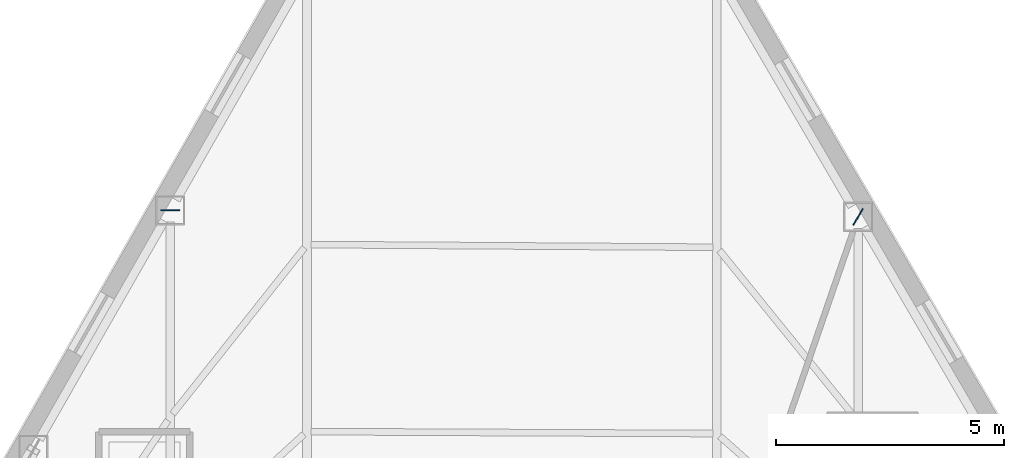
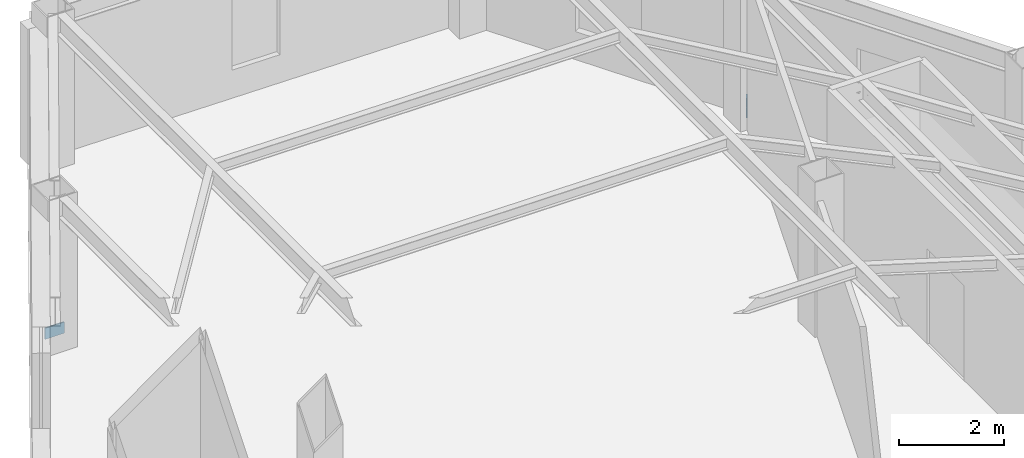
# One storey, part 6 of 11: 2 plates.
"""IFC4 building model written with IfcOpenShell, lengths in metres."""

from ifc_helpers import new_model, si_unit, direction, frame, origin, origin_2d, place, context, subcontext, project, spatial, rectangle, extrude, material, layer, layer_set, type_object, element, save


model = new_model("IFC4")

# Units and contexts
model_context = context("Model", 3, precision=1e-05, world=origin(), true_north=direction((0.0, 1.0)))
body_context = subcontext(model_context, "Body", "Model", "MODEL_VIEW")
ifc_project = project(units=[si_unit("LENGTHUNIT", "METRE"), si_unit("AREAUNIT", "SQUARE_METRE"), si_unit("VOLUMEUNIT", "CUBIC_METRE"), si_unit("PLANEANGLEUNIT", "RADIAN"), si_unit("MASSUNIT", "GRAM", prefix="KILO")], contexts=[model_context])

# Site, building, storey
site_placement = place(None, origin())
site = spatial("IfcSite", under=ifc_project, at=site_placement, CompositionType="ELEMENT")
building_placement = place(site_placement, origin())
building = spatial("IfcBuilding", under=site, at=building_placement, Name="Kavelnor Concourse Tower", CompositionType="ELEMENT")
storey_placement = place(building_placement, frame((0.0, 0.0, 184.25)))
storey = spatial("IfcBuildingStorey", under=building, at=storey_placement, Name="L46", CompositionType="ELEMENT", Elevation=184.25)

# Plates
ifc_material = material(Name="Steel Grade 350", Category="steel")
ifc_layer = layer(ifc_material, 0.02490234375, Name="Steel Grade 350")
ifc_layer_set = layer_set([ifc_layer], Name="Steel Grade 350")
plate_type = type_object("IfcPlateType", Name="PL-SPLICE-FLANGE", PredefinedType="SHEET", material=ifc_layer_set)
for number, where, z_axis, x_axis, name in (
    (1, (30.56591796875, 38.547119140625, 0.169921875), (0.0, 0.0, 1.0), (1.0, 0.0, 0.0), "L46 Column Flange Splice Plate F0-B1"),
    (2, (45.684326171875, 38.406005859375, 0.169921875), (0.0, 0.0, 1.0), (-0.5, -0.866025403784, 0.0), "L46 Column Flange Splice Plate F2-B5"),
):
    element("IfcPlate", number, at=place(storey_placement, frame(where, z_axis=z_axis, x_axis=x_axis)), inside=storey, type_object=plate_type, Name=name, PredefinedType="SHEET", context=body_context, shape_type="SweptSolid", body=[
        extrude(rectangle(XDim=0.419921875, YDim=0.02490234375, at=origin_2d()), origin(), (0.0, 0.0, 1.0), 0.260009765625),
    ])

save(model, "model.ifc")
